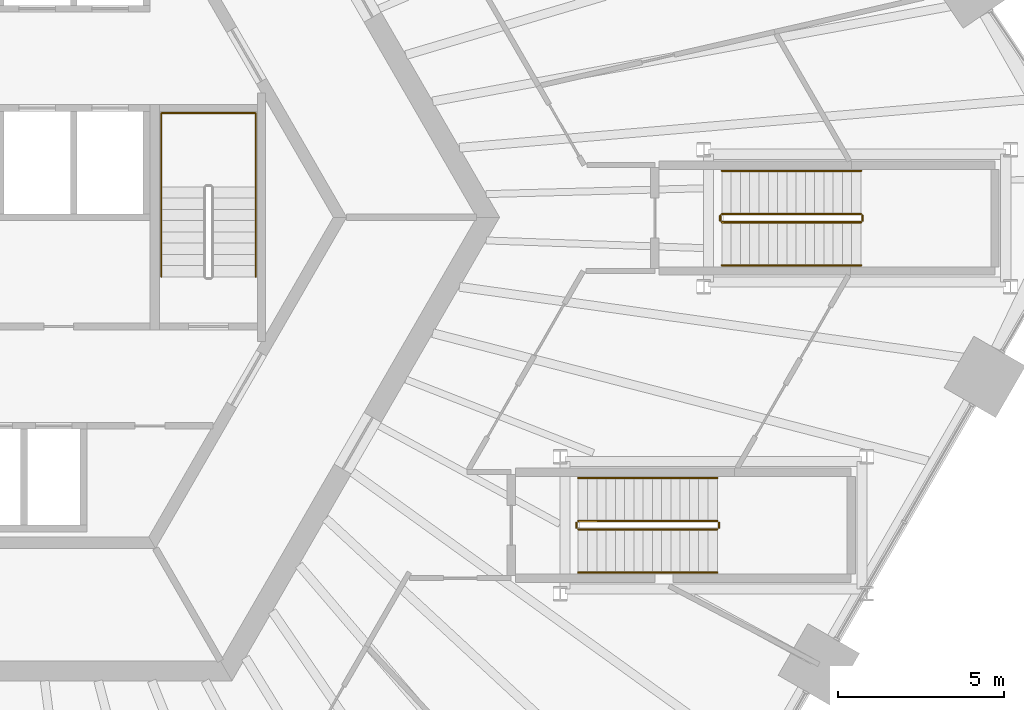
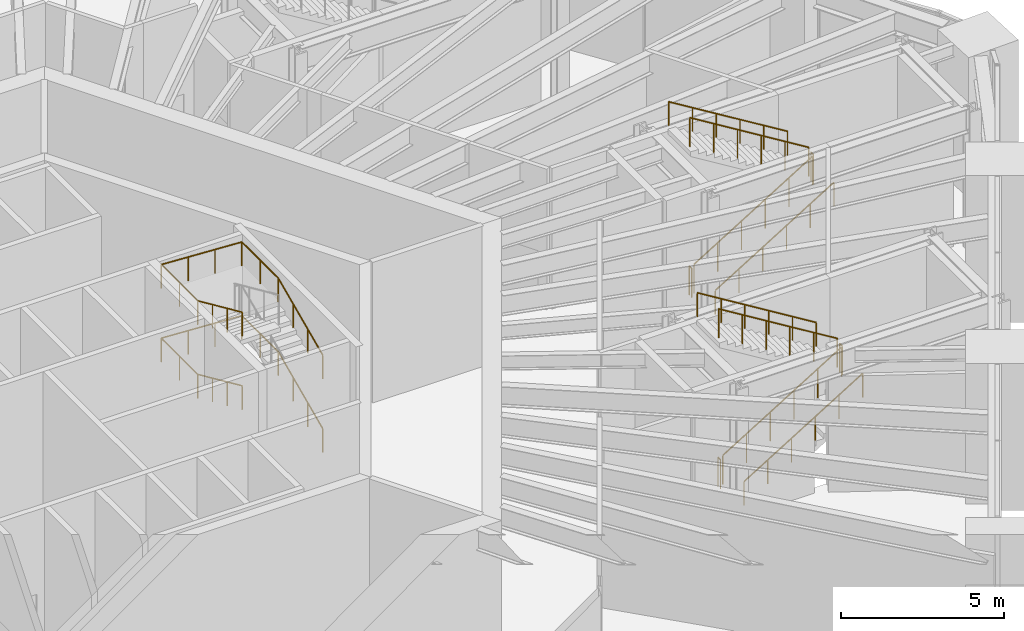
# One storey, part 28 of 30: 14 railings.
"""IFC4 building model written with IfcOpenShell, lengths in metres."""

from ifc_helpers import new_model, si_unit, direction, frame, origin, origin_2d, place, context, subcontext, project, spatial, circle, extrude, material, type_object, element, save


model = new_model("IFC4")

# Units and contexts
model_context = context("Model", 3, precision=1e-05, world=origin(), true_north=direction((0.0, 1.0)))
body_context = subcontext(model_context, "Body", "Model", "MODEL_VIEW")
ifc_project = project(units=[si_unit("LENGTHUNIT", "METRE"), si_unit("AREAUNIT", "SQUARE_METRE"), si_unit("VOLUMEUNIT", "CUBIC_METRE"), si_unit("PLANEANGLEUNIT", "RADIAN"), si_unit("MASSUNIT", "GRAM", prefix="KILO")], contexts=[model_context])

# Site, building, storey
site_placement = place(None, origin())
site = spatial("IfcSite", under=ifc_project, at=site_placement, CompositionType="ELEMENT")
building_placement = place(site_placement, origin())
building = spatial("IfcBuilding", under=site, at=building_placement, Name="Tarnside Tower", CompositionType="ELEMENT")
storey_placement = place(building_placement, frame((0.0, 0.0, 20.5)))
storey = spatial("IfcBuildingStorey", under=building, at=storey_placement, Name="L03", CompositionType="ELEMENT", Elevation=20.5)

# Railings
ifc_material = material(Name="Stainless steel", Category="steel")
railing_type_1 = type_object("IfcRailingType", Name="Podium stair guard 1100", PredefinedType="GUARDRAIL", material=ifc_material)
railing_1_placement = place(storey_placement, frame((22.8798828125, -0.14990234375, 0.171875)))
element("IfcRailing", 1, at=railing_1_placement, inside=storey, type_object=railing_type_1, Name="L03 PS3 stair guard 1", PredefinedType="GUARDRAIL", context=body_context, shape_type="SweptSolid", body=[
    extrude(circle(Radius=0.02392578125, at=origin_2d()), frame((0.0, 0.0, 1.076171875), z_axis=(0.852256472501, 0.0, 0.523124177495), x_axis=(0.0, 1.0, 0.0)), (0.0, 0.0, 1.0), 4.92822265625),
    extrude(circle(Radius=0.02099609375, at=origin_2d()), origin(), (0.0, 0.0, 1.0), 1.052001953125),
    extrude(circle(Radius=0.02099609375, at=origin_2d()), frame((0.840087890625, 0.0, 0.515625)), (0.0, 0.0, 1.0), 1.052001953125),
    extrude(circle(Radius=0.02099609375, at=origin_2d()), frame((1.68017578125, 0.0, 1.03125)), (0.0, 0.0, 1.0), 1.052001953125),
    extrude(circle(Radius=0.02099609375, at=origin_2d()), frame((2.52001953125, 0.0, 1.546875)), (0.0, 0.0, 1.0), 1.052001953125),
    extrude(circle(Radius=0.02099609375, at=origin_2d()), frame((3.360107421875, 0.0, 2.0625)), (0.0, 0.0, 1.0), 1.052001953125),
    extrude(circle(Radius=0.02099609375, at=origin_2d()), frame((4.2001953125, 0.0, 2.578125)), (0.0, 0.0, 1.0), 1.052001953125),
])
railing_2_placement = place(storey_placement, frame((27.1298828125, -0.10009765625, 2.75)))
element("IfcRailing", 2, at=railing_2_placement, inside=storey, type_object=railing_type_1, Name="L03 PS3 stair guard 2", PredefinedType="GUARDRAIL", context=body_context, shape_type="SweptSolid", body=[
    extrude(circle(Radius=0.02392578125, at=origin_2d()), frame((0.0, 0.0, 1.076171875), z_axis=(0.0, 1.0, 0.0), x_axis=(-1.0, 0.0, 0.0)), (0.0, 0.0, 1.0), 0.150146484375),
    extrude(circle(Radius=0.02099609375, at=origin_2d()), origin(), (0.0, 0.0, 1.0), 1.052001953125),
    extrude(circle(Radius=0.02099609375, at=origin_2d()), frame((0.0, 0.150146484375, 0.0)), (0.0, 0.0, 1.0), 1.052001953125),
])
railing_3_placement = place(storey_placement, frame((27.080078125, 0.10009765625, 2.921875)))
element("IfcRailing", 3, at=railing_3_placement, inside=storey, type_object=railing_type_1, Name="L03 PS3 stair guard 3", PredefinedType="GUARDRAIL", context=body_context, shape_type="SweptSolid", body=[
    extrude(circle(Radius=0.02392578125, at=origin_2d()), frame((0.0, 0.0, 1.076171875), z_axis=(-0.852256472501, 0.0, 0.523124177495), x_axis=(0.0, -1.0, 0.0)), (0.0, 0.0, 1.0), 4.92822265625),
    extrude(circle(Radius=0.02099609375, at=origin_2d()), origin(), (0.0, 0.0, 1.0), 1.052001953125),
    extrude(circle(Radius=0.02099609375, at=origin_2d()), frame((-0.840087890625, 0.0, 0.515625)), (0.0, 0.0, 1.0), 1.052001953125),
    extrude(circle(Radius=0.02099609375, at=origin_2d()), frame((-1.68017578125, 0.0, 1.03125)), (0.0, 0.0, 1.0), 1.052001953125),
    extrude(circle(Radius=0.02099609375, at=origin_2d()), frame((-2.52001953125, 0.0, 1.546875)), (0.0, 0.0, 1.0), 1.052001953125),
    extrude(circle(Radius=0.02099609375, at=origin_2d()), frame((-3.360107421875, 0.0, 2.0625)), (0.0, 0.0, 1.0), 1.052001953125),
    extrude(circle(Radius=0.02099609375, at=origin_2d()), frame((-4.2001953125, 0.0, 2.578125)), (0.0, 0.0, 1.0), 1.052001953125),
])
railing_4_placement = place(storey_placement, frame((22.830078125, -0.10009765625, 0.0)))
element("IfcRailing", 4, at=railing_4_placement, inside=storey, type_object=railing_type_1, Name="L03 PS3 stair guard 4", PredefinedType="GUARDRAIL", context=body_context, shape_type="SweptSolid", body=[
    extrude(circle(Radius=0.02392578125, at=origin_2d()), frame((0.0, 0.0, 1.076171875), z_axis=(0.0, 1.0, 0.0), x_axis=(-1.0, 0.0, 0.0)), (0.0, 0.0, 1.0), 0.150146484375),
    extrude(circle(Radius=0.02099609375, at=origin_2d()), origin(), (0.0, 0.0, 1.0), 1.052001953125),
    extrude(circle(Radius=0.02099609375, at=origin_2d()), frame((0.0, 0.150146484375, 0.0)), (0.0, 0.0, 1.0), 1.052001953125),
])
railing_5_placement = place(storey_placement, frame((18.5400390625, -9.425048828125, 0.171875)))
element("IfcRailing", 5, at=railing_5_placement, inside=storey, type_object=railing_type_1, Name="L03 PS5 stair guard 1", PredefinedType="GUARDRAIL", context=body_context, shape_type="SweptSolid", body=[
    extrude(circle(Radius=0.02392578125, at=origin_2d()), frame((0.0, 0.0, 1.076171875), z_axis=(0.852242915053, 0.0, 0.523146264196), x_axis=(0.0, 1.0, 0.0)), (0.0, 0.0, 1.0), 4.92822265625),
    extrude(circle(Radius=0.02099609375, at=origin_2d()), origin(), (0.0, 0.0, 1.0), 1.052001953125),
    extrude(circle(Radius=0.02099609375, at=origin_2d()), frame((0.840087890625, 0.0, 0.515625)), (0.0, 0.0, 1.0), 1.052001953125),
    extrude(circle(Radius=0.02099609375, at=origin_2d()), frame((1.679931640625, 0.0, 1.03125)), (0.0, 0.0, 1.0), 1.052001953125),
    extrude(circle(Radius=0.02099609375, at=origin_2d()), frame((2.52001953125, 0.0, 1.546875)), (0.0, 0.0, 1.0), 1.052001953125),
    extrude(circle(Radius=0.02099609375, at=origin_2d()), frame((3.35986328125, 0.0, 2.0625)), (0.0, 0.0, 1.0), 1.052001953125),
    extrude(circle(Radius=0.02099609375, at=origin_2d()), frame((4.199951171875, 0.0, 2.578125)), (0.0, 0.0, 1.0), 1.052001953125),
])
railing_6_placement = place(storey_placement, frame((22.7900390625, -9.375, 2.75)))
element("IfcRailing", 6, at=railing_6_placement, inside=storey, type_object=railing_type_1, Name="L03 PS5 stair guard 2", PredefinedType="GUARDRAIL", context=body_context, shape_type="SweptSolid", body=[
    extrude(circle(Radius=0.02392578125, at=origin_2d()), frame((0.0, 0.0, 1.076171875), z_axis=(0.0, 1.0, 0.0), x_axis=(-1.0, 0.0, 0.0)), (0.0, 0.0, 1.0), 0.14990234375),
    extrude(circle(Radius=0.02099609375, at=origin_2d()), origin(), (0.0, 0.0, 1.0), 1.052001953125),
    extrude(circle(Radius=0.02099609375, at=origin_2d()), frame((0.0, 0.14990234375, 0.0)), (0.0, 0.0, 1.0), 1.052001953125),
])
railing_7_placement = place(storey_placement, frame((22.739990234375, -9.175048828125, 2.921875)))
element("IfcRailing", 7, at=railing_7_placement, inside=storey, type_object=railing_type_1, Name="L03 PS5 stair guard 3", PredefinedType="GUARDRAIL", context=body_context, shape_type="SweptSolid", body=[
    extrude(circle(Radius=0.02392578125, at=origin_2d()), frame((0.0, 0.0, 1.076171875), z_axis=(-0.852242915053, 0.0, 0.523146264196), x_axis=(0.0, -1.0, 0.0)), (0.0, 0.0, 1.0), 4.92822265625),
    extrude(circle(Radius=0.02099609375, at=origin_2d()), origin(), (0.0, 0.0, 1.0), 1.052001953125),
    extrude(circle(Radius=0.02099609375, at=origin_2d()), frame((-0.840087890625, 0.0, 0.515625)), (0.0, 0.0, 1.0), 1.052001953125),
    extrude(circle(Radius=0.02099609375, at=origin_2d()), frame((-1.679931640625, 0.0, 1.03125)), (0.0, 0.0, 1.0), 1.052001953125),
    extrude(circle(Radius=0.02099609375, at=origin_2d()), frame((-2.52001953125, 0.0, 1.546875)), (0.0, 0.0, 1.0), 1.052001953125),
    extrude(circle(Radius=0.02099609375, at=origin_2d()), frame((-3.35986328125, 0.0, 2.0625)), (0.0, 0.0, 1.0), 1.052001953125),
    extrude(circle(Radius=0.02099609375, at=origin_2d()), frame((-4.199951171875, 0.0, 2.578125)), (0.0, 0.0, 1.0), 1.052001953125),
])
railing_8_placement = place(storey_placement, frame((18.489990234375, -9.375, 0.0)))
element("IfcRailing", 8, at=railing_8_placement, inside=storey, type_object=railing_type_1, Name="L03 PS5 stair guard 4", PredefinedType="GUARDRAIL", context=body_context, shape_type="SweptSolid", body=[
    extrude(circle(Radius=0.02392578125, at=origin_2d()), frame((0.0, 0.0, 1.076171875), z_axis=(0.0, 1.0, 0.0), x_axis=(-1.0, 0.0, 0.0)), (0.0, 0.0, 1.0), 0.14990234375),
    extrude(circle(Radius=0.02099609375, at=origin_2d()), origin(), (0.0, 0.0, 1.0), 1.052001953125),
    extrude(circle(Radius=0.02099609375, at=origin_2d()), frame((0.0, 0.14990234375, 0.0)), (0.0, 0.0, 1.0), 1.052001953125),
])
railing_type_2 = type_object("IfcRailingType", Name="Podium stair handrail 900", PredefinedType="HANDRAIL", material=ifc_material)
railing_9_placement = place(storey_placement, frame((22.8798828125, -1.449951171875, 0.171875)))
element("IfcRailing", 9, at=railing_9_placement, inside=storey, type_object=railing_type_2, Name="L03 PS3 stair handrail 1", PredefinedType="HANDRAIL", context=body_context, shape_type="SweptSolid", body=[
    extrude(circle(Radius=0.02392578125, at=origin_2d()), frame((0.0, 0.0, 0.8857421875), z_axis=(0.852256472501, 0.0, 0.523124177495), x_axis=(0.0, 1.0, 0.0)), (0.0, 0.0, 1.0), 4.92822265625),
    extrude(circle(Radius=0.02099609375, at=origin_2d()), origin(), (0.0, 0.0, 1.0), 0.86181640625),
    extrude(circle(Radius=0.02099609375, at=origin_2d()), frame((0.840087890625, 0.0, 0.515625)), (0.0, 0.0, 1.0), 0.86181640625),
    extrude(circle(Radius=0.02099609375, at=origin_2d()), frame((1.68017578125, 0.0, 1.03125)), (0.0, 0.0, 1.0), 0.86181640625),
    extrude(circle(Radius=0.02099609375, at=origin_2d()), frame((2.52001953125, 0.0, 1.546875)), (0.0, 0.0, 1.0), 0.86181640625),
    extrude(circle(Radius=0.02099609375, at=origin_2d()), frame((3.360107421875, 0.0, 2.0625)), (0.0, 0.0, 1.0), 0.86181640625),
    extrude(circle(Radius=0.02099609375, at=origin_2d()), frame((4.2001953125, 0.0, 2.578125)), (0.0, 0.0, 1.0), 0.86181640625),
])
railing_10_placement = place(storey_placement, frame((27.080078125, 1.39990234375, 2.921875)))
element("IfcRailing", 10, at=railing_10_placement, inside=storey, type_object=railing_type_2, Name="L03 PS3 stair handrail 2", PredefinedType="HANDRAIL", context=body_context, shape_type="SweptSolid", body=[
    extrude(circle(Radius=0.02392578125, at=origin_2d()), frame((0.0, 0.0, 0.8857421875), z_axis=(-0.852256472501, 0.0, 0.523124177495), x_axis=(0.0, -1.0, 0.0)), (0.0, 0.0, 1.0), 4.92822265625),
    extrude(circle(Radius=0.02099609375, at=origin_2d()), origin(), (0.0, 0.0, 1.0), 0.86181640625),
    extrude(circle(Radius=0.02099609375, at=origin_2d()), frame((-0.840087890625, 0.0, 0.515625)), (0.0, 0.0, 1.0), 0.86181640625),
    extrude(circle(Radius=0.02099609375, at=origin_2d()), frame((-1.68017578125, 0.0, 1.03125)), (0.0, 0.0, 1.0), 0.86181640625),
    extrude(circle(Radius=0.02099609375, at=origin_2d()), frame((-2.52001953125, 0.0, 1.546875)), (0.0, 0.0, 1.0), 0.86181640625),
    extrude(circle(Radius=0.02099609375, at=origin_2d()), frame((-3.360107421875, 0.0, 2.0625)), (0.0, 0.0, 1.0), 0.86181640625),
    extrude(circle(Radius=0.02099609375, at=origin_2d()), frame((-4.2001953125, 0.0, 2.578125)), (0.0, 0.0, 1.0), 0.86181640625),
])
railing_11_placement = place(storey_placement, frame((18.5400390625, -10.72509765625, 0.171875)))
element("IfcRailing", 11, at=railing_11_placement, inside=storey, type_object=railing_type_2, Name="L03 PS5 stair handrail 1", PredefinedType="HANDRAIL", context=body_context, shape_type="SweptSolid", body=[
    extrude(circle(Radius=0.02392578125, at=origin_2d()), frame((0.0, 0.0, 0.8857421875), z_axis=(0.852242915053, 0.0, 0.523146264196), x_axis=(0.0, 1.0, 0.0)), (0.0, 0.0, 1.0), 4.92822265625),
    extrude(circle(Radius=0.02099609375, at=origin_2d()), origin(), (0.0, 0.0, 1.0), 0.86181640625),
    extrude(circle(Radius=0.02099609375, at=origin_2d()), frame((0.840087890625, 0.0, 0.515625)), (0.0, 0.0, 1.0), 0.86181640625),
    extrude(circle(Radius=0.02099609375, at=origin_2d()), frame((1.679931640625, 0.0, 1.03125)), (0.0, 0.0, 1.0), 0.86181640625),
    extrude(circle(Radius=0.02099609375, at=origin_2d()), frame((2.52001953125, 0.0, 1.546875)), (0.0, 0.0, 1.0), 0.86181640625),
    extrude(circle(Radius=0.02099609375, at=origin_2d()), frame((3.35986328125, 0.0, 2.0625)), (0.0, 0.0, 1.0), 0.86181640625),
    extrude(circle(Radius=0.02099609375, at=origin_2d()), frame((4.199951171875, 0.0, 2.578125)), (0.0, 0.0, 1.0), 0.86181640625),
])
railing_12_placement = place(storey_placement, frame((22.739990234375, -7.875, 2.921875)))
element("IfcRailing", 12, at=railing_12_placement, inside=storey, type_object=railing_type_2, Name="L03 PS5 stair handrail 2", PredefinedType="HANDRAIL", context=body_context, shape_type="SweptSolid", body=[
    extrude(circle(Radius=0.02392578125, at=origin_2d()), frame((0.0, 0.0, 0.8857421875), z_axis=(-0.852242915053, 0.0, 0.523146264196), x_axis=(0.0, -1.0, 0.0)), (0.0, 0.0, 1.0), 4.92822265625),
    extrude(circle(Radius=0.02099609375, at=origin_2d()), origin(), (0.0, 0.0, 1.0), 0.86181640625),
    extrude(circle(Radius=0.02099609375, at=origin_2d()), frame((-0.840087890625, 0.0, 0.515625)), (0.0, 0.0, 1.0), 0.86181640625),
    extrude(circle(Radius=0.02099609375, at=origin_2d()), frame((-1.679931640625, 0.0, 1.03125)), (0.0, 0.0, 1.0), 0.86181640625),
    extrude(circle(Radius=0.02099609375, at=origin_2d()), frame((-2.52001953125, 0.0, 1.546875)), (0.0, 0.0, 1.0), 0.86181640625),
    extrude(circle(Radius=0.02099609375, at=origin_2d()), frame((-3.35986328125, 0.0, 2.0625)), (0.0, 0.0, 1.0), 0.86181640625),
    extrude(circle(Radius=0.02099609375, at=origin_2d()), frame((-4.199951171875, 0.0, 2.578125)), (0.0, 0.0, 1.0), 0.86181640625),
])
railing_type_3 = type_object("IfcRailingType", Name="Stair handrail 900", PredefinedType="HANDRAIL", material=ifc_material)
railing_13_placement = place(storey_placement, frame((8.800048828125, -1.800048828125, 0.15283203125)))
element("IfcRailing", 13, at=railing_13_placement, inside=storey, type_object=railing_type_3, Name="L03 ST1 stair handrail 1", PredefinedType="HANDRAIL", context=body_context, shape_type="SweptSolid", body=[
    extrude(circle(Radius=0.02392578125, at=origin_2d()), frame((0.0, 0.0, 0.8857421875), z_axis=(0.0, 0.912149621895, 0.409857374312), x_axis=(-1.0, 0.0, 0.0)), (0.0, 0.0, 1.0), 2.98193359375),
    extrude(circle(Radius=0.02392578125, at=origin_2d()), frame((0.0, 2.719970703125, 2.10791015625), z_axis=(0.0, 1.0, 0.0), x_axis=(-1.0, 0.0, 0.0)), (0.0, 0.0, 1.0), 2.22998046875),
    extrude(circle(Radius=0.02392578125, at=origin_2d()), frame((0.0, 4.949951171875, 2.10791015625), z_axis=(-0.998565356737, 0.0, 0.053546506195), x_axis=(0.0, -1.0, 0.0)), (0.0, 0.0, 1.0), 2.854248046875),
    extrude(circle(Radius=0.02392578125, at=origin_2d()), frame((-2.85009765625, 4.949951171875, 2.2607421875), z_axis=(0.0, -1.0, 0.0), x_axis=(1.0, 0.0, 0.0)), (0.0, 0.0, 1.0), 2.22998046875),
    extrude(circle(Radius=0.02392578125, at=origin_2d()), frame((-2.85009765625, 2.719970703125, 2.2607421875), z_axis=(0.0, -0.912149621895, 0.409857374312), x_axis=(1.0, 0.0, 0.0)), (0.0, 0.0, 1.0), 2.98193359375),
    extrude(circle(Radius=0.02099609375, at=origin_2d()), origin(), (0.0, 0.0, 1.0), 0.86181640625),
    extrude(circle(Radius=0.02099609375, at=origin_2d()), frame((0.0, 0.90673828125, 0.407470703125)), (0.0, 0.0, 1.0), 0.86181640625),
    extrude(circle(Radius=0.02099609375, at=origin_2d()), frame((0.0, 1.813232421875, 0.814697265625)), (0.0, 0.0, 1.0), 0.86181640625),
    extrude(circle(Radius=0.02099609375, at=origin_2d()), frame((0.0, 2.719970703125, 1.22216796875)), (0.0, 0.0, 1.0), 0.86181640625),
    extrude(circle(Radius=0.02099609375, at=origin_2d()), frame((0.0, 3.8349609375, 1.22216796875)), (0.0, 0.0, 1.0), 0.86181640625),
    extrude(circle(Radius=0.02099609375, at=origin_2d()), frame((0.0, 4.949951171875, 1.22216796875)), (0.0, 0.0, 1.0), 0.86181640625),
    extrude(circle(Radius=0.02099609375, at=origin_2d()), frame((-0.949951171875, 4.949951171875, 1.273193359375)), (0.0, 0.0, 1.0), 0.86181640625),
    extrude(circle(Radius=0.02099609375, at=origin_2d()), frame((-1.900146484375, 4.949951171875, 1.323974609375)), (0.0, 0.0, 1.0), 0.86181640625),
    extrude(circle(Radius=0.02099609375, at=origin_2d()), frame((-2.85009765625, 4.949951171875, 1.375)), (0.0, 0.0, 1.0), 0.86181640625),
    extrude(circle(Radius=0.02099609375, at=origin_2d()), frame((-2.85009765625, 3.8349609375, 1.375)), (0.0, 0.0, 1.0), 0.86181640625),
    extrude(circle(Radius=0.02099609375, at=origin_2d()), frame((-2.85009765625, 2.719970703125, 1.375)), (0.0, 0.0, 1.0), 0.86181640625),
    extrude(circle(Radius=0.02099609375, at=origin_2d()), frame((-2.85009765625, 1.813232421875, 1.782470703125)), (0.0, 0.0, 1.0), 0.86181640625),
    extrude(circle(Radius=0.02099609375, at=origin_2d()), frame((-2.85009765625, 0.90673828125, 2.189697265625)), (0.0, 0.0, 1.0), 0.86181640625),
    extrude(circle(Radius=0.02099609375, at=origin_2d()), frame((-2.85009765625, 0.0, 2.59716796875)), (0.0, 0.0, 1.0), 0.86181640625),
])
railing_14_placement = place(storey_placement, frame((8.800048828125, -1.800048828125, 2.90283203125)))
element("IfcRailing", 14, at=railing_14_placement, inside=storey, type_object=railing_type_3, Name="L03 ST1 stair handrail 2", PredefinedType="HANDRAIL", context=body_context, shape_type="SweptSolid", body=[
    extrude(circle(Radius=0.02392578125, at=origin_2d()), frame((0.0, 0.0, 0.8857421875), z_axis=(0.0, 0.912149621895, 0.409857374312), x_axis=(-1.0, 0.0, 0.0)), (0.0, 0.0, 1.0), 2.98193359375),
    extrude(circle(Radius=0.02392578125, at=origin_2d()), frame((0.0, 2.719970703125, 2.10791015625), z_axis=(0.0, 1.0, 0.0), x_axis=(-1.0, 0.0, 0.0)), (0.0, 0.0, 1.0), 2.22998046875),
    extrude(circle(Radius=0.02392578125, at=origin_2d()), frame((0.0, 4.949951171875, 2.10791015625), z_axis=(-0.998565356737, 0.0, 0.053546506195), x_axis=(0.0, -1.0, 0.0)), (0.0, 0.0, 1.0), 2.854248046875),
    extrude(circle(Radius=0.02392578125, at=origin_2d()), frame((-2.85009765625, 4.949951171875, 2.2607421875), z_axis=(0.0, -1.0, 0.0), x_axis=(1.0, 0.0, 0.0)), (0.0, 0.0, 1.0), 2.22998046875),
    extrude(circle(Radius=0.02392578125, at=origin_2d()), frame((-2.85009765625, 2.719970703125, 2.2607421875), z_axis=(0.0, -0.912149621895, 0.409857374312), x_axis=(1.0, 0.0, 0.0)), (0.0, 0.0, 1.0), 2.98193359375),
    extrude(circle(Radius=0.02099609375, at=origin_2d()), origin(), (0.0, 0.0, 1.0), 0.86181640625),
    extrude(circle(Radius=0.02099609375, at=origin_2d()), frame((0.0, 0.90673828125, 0.407470703125)), (0.0, 0.0, 1.0), 0.86181640625),
    extrude(circle(Radius=0.02099609375, at=origin_2d()), frame((0.0, 1.813232421875, 0.814697265625)), (0.0, 0.0, 1.0), 0.86181640625),
    extrude(circle(Radius=0.02099609375, at=origin_2d()), frame((0.0, 2.719970703125, 1.22216796875)), (0.0, 0.0, 1.0), 0.86181640625),
    extrude(circle(Radius=0.02099609375, at=origin_2d()), frame((0.0, 3.8349609375, 1.22216796875)), (0.0, 0.0, 1.0), 0.86181640625),
    extrude(circle(Radius=0.02099609375, at=origin_2d()), frame((0.0, 4.949951171875, 1.22216796875)), (0.0, 0.0, 1.0), 0.86181640625),
    extrude(circle(Radius=0.02099609375, at=origin_2d()), frame((-0.949951171875, 4.949951171875, 1.273193359375)), (0.0, 0.0, 1.0), 0.86181640625),
    extrude(circle(Radius=0.02099609375, at=origin_2d()), frame((-1.900146484375, 4.949951171875, 1.323974609375)), (0.0, 0.0, 1.0), 0.86181640625),
    extrude(circle(Radius=0.02099609375, at=origin_2d()), frame((-2.85009765625, 4.949951171875, 1.375)), (0.0, 0.0, 1.0), 0.86181640625),
    extrude(circle(Radius=0.02099609375, at=origin_2d()), frame((-2.85009765625, 3.8349609375, 1.375)), (0.0, 0.0, 1.0), 0.86181640625),
    extrude(circle(Radius=0.02099609375, at=origin_2d()), frame((-2.85009765625, 2.719970703125, 1.375)), (0.0, 0.0, 1.0), 0.86181640625),
    extrude(circle(Radius=0.02099609375, at=origin_2d()), frame((-2.85009765625, 1.813232421875, 1.782470703125)), (0.0, 0.0, 1.0), 0.86181640625),
    extrude(circle(Radius=0.02099609375, at=origin_2d()), frame((-2.85009765625, 0.90673828125, 2.189697265625)), (0.0, 0.0, 1.0), 0.86181640625),
    extrude(circle(Radius=0.02099609375, at=origin_2d()), frame((-2.85009765625, 0.0, 2.59716796875)), (0.0, 0.0, 1.0), 0.86181640625),
])

save(model, "model.ifc")
